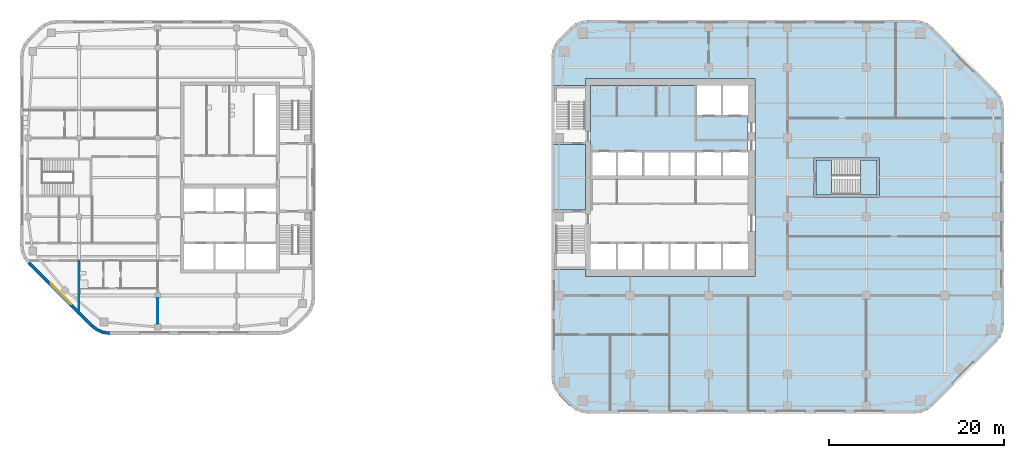
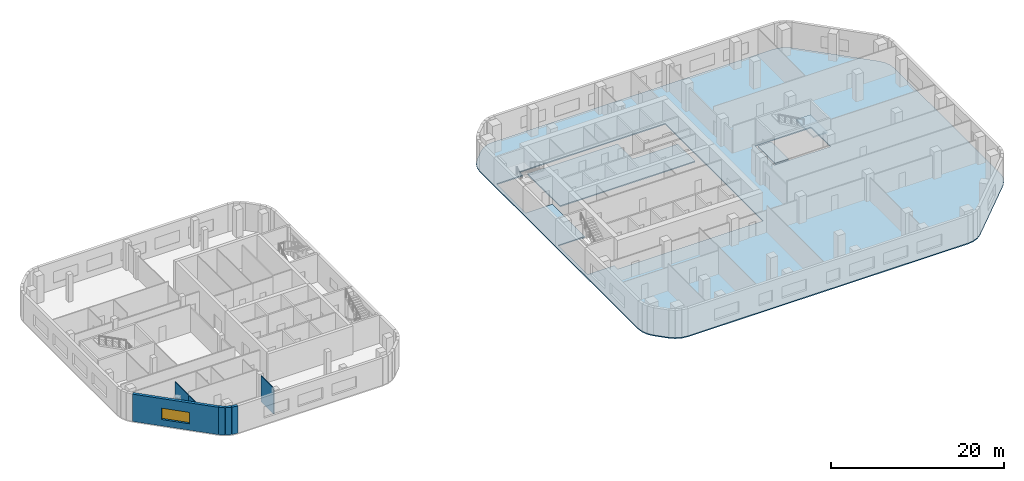
# One storey, part 4 of 14: 7 walls, 4 slabs, 1 window, 1 opening, 1 element without a shape of its own.
"""IFC4 building model written with IfcOpenShell, lengths in metres."""

from ifc_helpers import new_model, si_unit, direction, frame, frame_2d, origin, place, context, subcontext, project, spatial, polyline, rectangle, outline, extrude, material, layer, layer_set, type_object, element, fill, aggregate, save


model = new_model("IFC4")

# Units and contexts
model_context = context("Model", 3, precision=1e-05, world=origin(), true_north=direction((0.0, 1.0)))
body_context = subcontext(model_context, "Body", "Model", "MODEL_VIEW")
ifc_project = project(units=[si_unit("LENGTHUNIT", "METRE"), si_unit("AREAUNIT", "SQUARE_METRE"), si_unit("VOLUMEUNIT", "CUBIC_METRE"), si_unit("PLANEANGLEUNIT", "RADIAN"), si_unit("MASSUNIT", "GRAM", prefix="KILO")], contexts=[model_context])

# Site, building, storey
site_placement = place(None, origin())
site = spatial("IfcSite", under=ifc_project, at=site_placement, CompositionType="ELEMENT")
building_placement = place(site_placement, origin())
building = spatial("IfcBuilding", under=site, at=building_placement, Name="Cinnabar Reach Civic Tower", CompositionType="ELEMENT")
storey_placement = place(building_placement, frame((0.0, 0.0, 128.0)))
storey = spatial("IfcBuildingStorey", under=building, at=storey_placement, Name="L30", CompositionType="ELEMENT", Elevation=128.0)

# Slab
ifc_material_1 = material(Name="Concrete C40", Category="concrete")
ifc_layer_1 = layer(ifc_material_1, 0.15)
ifc_layer_set_1 = layer_set([ifc_layer_1], Name="Composite floor slab 150 REI 150")
slab_type_1 = type_object("IfcSlabType", Name="Composite floor slab 150 REI 150", PredefinedType="FLOOR", material=ifc_layer_set_1)
slab_1_placement = place(storey_placement, frame((0.0, 0.0, -0.15)))
element("IfcSlab", 1, at=slab_1_placement, inside=storey, type_object=slab_type_1, Name="Composite floor slab 150 T1 L30", PredefinedType="FLOOR", context=body_context, shape_type="SweptSolid", body=[
    extrude(outline(polyline([(0.8787, 6.6213), (0.4019, 7.2426), (0.1022, 7.9662), (0.0, 8.7426), (0.0, 45.2574), (0.1022, 46.0338), (0.4019, 46.7574), (0.8787, 47.3787), (2.1213, 48.6213), (2.7426, 49.0981), (3.4662, 49.3978), (4.2426, 49.5), (41.5074, 49.5), (42.2838, 49.3978), (43.0074, 49.0981), (43.6287, 48.6213), (50.8713, 41.3787), (51.3481, 40.7574), (51.6478, 40.0338), (51.75, 39.2574), (51.75, 14.7426), (51.6478, 13.9662), (51.3481, 13.2426), (50.8713, 12.6213), (43.6287, 5.3787), (43.0074, 4.9019), (42.2838, 4.6022), (41.5074, 4.5), (4.2426, 4.5), (3.4662, 4.6022), (2.7426, 4.9019), (2.1213, 5.3787), (0.8787, 6.6213)]), holes=[polyline([(0.36, 21.0), (3.9, 21.0), (3.9, 20.2), (23.3, 20.2), (23.3, 42.8), (3.9, 42.8), (3.9, 42.0), (0.36, 42.0), (0.36, 35.25), (3.9, 35.25), (3.9, 27.75), (0.36, 27.75), (0.36, 21.0)]), polyline([(30.0, 33.75), (30.0, 29.25), (37.5, 29.25), (37.5, 33.75), (30.0, 33.75)])]), origin(), (0.0, 0.0, 1.0), 0.15),
])

# Stair, slabs
ifc_material_2 = material(Name="Concrete C40/50", Category="concrete")
stair_type = type_object("IfcStairType", Name="T1 Exit stair, half-turn", PredefinedType="HALF_TURN_STAIR", material=ifc_material_2)
stair_placement = place(storey_placement, origin())
stair = element("IfcStair", 2, at=stair_placement, inside=storey, type_object=stair_type, Name="Stair T1-S3", PredefinedType="HALF_TURN_STAIR")
ifc_layer_2 = layer(ifc_material_2, 0.2)
ifc_layer_set_2 = layer_set([ifc_layer_2], Name="T1 Stair landing 200, Concrete C40/50")
slab_type_2 = type_object("IfcSlabType", Name="T1 Stair landing 200, Concrete C40/50", PredefinedType="LANDING", material=ifc_layer_set_2)
slab_2_placement = place(storey_placement, frame((0.0, 0.0, -0.2)))
slab_2 = element("IfcSlab", 3, at=slab_2_placement, type_object=slab_type_2, Name="T1-S3 landing 1", PredefinedType="LANDING", context=body_context, shape_type="SweptSolid", body=[
    extrude(outline(polyline([(30.25, 29.5), (32.05, 29.5), (32.05, 33.5), (30.25, 33.5), (30.25, 29.5)])), origin(), (0.0, 0.0, 1.0), 0.2),
])
slab_3_placement = place(storey_placement, frame((0.0, 0.0, 1.8)))
slab_3 = element("IfcSlab", 4, at=slab_3_placement, type_object=slab_type_2, Name="T1-S3 landing 2", PredefinedType="LANDING", context=body_context, shape_type="SweptSolid", body=[
    extrude(outline(polyline([(35.35, 29.5), (37.25, 29.5), (37.25, 33.5), (35.35, 33.5), (35.35, 29.5)])), origin(), (0.0, 0.0, 1.0), 0.2),
])
aggregate(stair, [slab_2, slab_3])

# Slab
ifc_layer_3 = layer(ifc_material_2, 0.15)
ifc_layer_set_3 = layer_set([ifc_layer_3], Name="T1 core floor slab 150")
slab_type_3 = type_object("IfcSlabType", Name="T1 core floor slab 150", PredefinedType="FLOOR", material=ifc_layer_set_3)
slab_4_placement = place(storey_placement, frame((0.0, 0.0, -0.15)))
element("IfcSlab", 5, at=slab_4_placement, inside=storey, type_object=slab_type_3, Name="Core floor slab L30", PredefinedType="FLOOR", context=body_context, shape_type="SweptSolid", body=[
    extrude(outline(polyline([(22.5, 34.5), (19.5, 34.5), (16.5, 34.5), (13.5, 34.5), (10.5, 34.5), (7.5, 34.5), (4.5, 34.5), (4.5, 42.0), (16.5, 42.0), (16.5, 38.5), (19.5, 38.5), (22.5, 38.5), (22.5, 34.5)])), origin(), (0.0, 0.0, 1.0), 0.15),
])

# Walls
ifc_material_3 = material(Name="Facing brick with insulated backing", Category="masonry")
ifc_layer_4 = layer(ifc_material_3, 0.36)
ifc_layer_set_4 = layer_set([ifc_layer_4], Name="Brick corner wall")
wall_type_1 = type_object("IfcWallType", Name="Brick corner wall", PredefinedType="STANDARD", material=ifc_layer_set_4)
wall_1_placement = place(storey_placement, frame((-52.4913, 14.5002, 0.0), z_axis=(0.0, 0.0, 1.0), x_axis=(0.793321924995, -0.608802368033, 0.0)))
element("IfcWall", 6, at=wall_1_placement, inside=storey, type_object=wall_type_1, Name="Brick corner wall", PredefinedType="STANDARD", context=body_context, shape_type="SweptSolid", body=[
    extrude(rectangle(XDim=0.7132, YDim=0.36, at=frame_2d((0.3566, 0.0))), origin(), (0.0, 0.0, 1.0), 3.85),
])
for number, where, z_axis, x_axis, name in (
    (7, (-51.9061, 14.0548, 0.0), (0.0, 0.0, 1.0), (0.923871547278, -0.382702709855, 0.0), "Brick corner wall"),
    (8, (-51.2256, 13.7761, 0.0), (0.0, 0.0, 1.0), (0.99144092581, -0.13055608231, 0.0), "Brick corner wall"),
):
    element("IfcWall", number, at=place(storey_placement, frame(where, z_axis=z_axis, x_axis=x_axis)), inside=storey, type_object=wall_type_1, Name=name, PredefinedType="STANDARD", context=body_context, shape_type="SweptSolid", body=[
        extrude(rectangle(XDim=0.7131, YDim=0.36, at=frame_2d((0.3565, 0.0))), origin(), (0.0, 0.0, 1.0), 3.85),
    ])

# Wall, opening, window
ifc_layer_5 = layer(ifc_material_3, 0.36)
ifc_layer_set_5 = layer_set([ifc_layer_5], Name="Brick pier and spandrel wall")
wall_type_2 = type_object("IfcWallType", Name="Brick pier and spandrel wall", PredefinedType="STANDARD", material=ifc_layer_set_5)
wall_2_placement = place(storey_placement, frame((-59.744, 21.7486, 0.0), z_axis=(0.0, 0.0, 1.0), x_axis=(0.707106781187, -0.707106781187, 0.0)))
wall_2 = element("IfcWall", 9, at=wall_2_placement, inside=storey, type_object=wall_type_2, Name="Brick facade wall", PredefinedType="STANDARD", context=body_context, shape_type="SweptSolid", body=[
    extrude(rectangle(XDim=10.2426, YDim=0.36, at=frame_2d((5.1213, 0.0))), origin(), (0.0, 0.0, 1.0), 3.85),
])
opening_placement = place(wall_2_placement, frame((3.4713, 0.0, 0.9)))
opening = element("IfcOpeningElement", 10, at=opening_placement, cuts=wall_2, Name="Opening W2778", PredefinedType="OPENING", context=body_context, shape_type="SweptSolid", body=[
    extrude(rectangle(XDim=3.3, YDim=1.6, at=frame_2d((1.65, 0.8))), frame((0.0, 0.19, 0.0), z_axis=(0.0, -1.0, 0.0), x_axis=(1.0, 0.0, 0.0)), (0.0, 0.0, 1.0), 0.38),
])
ifc_material_4 = material(Name="Clear double glazing in aluminium frame", Category="aluminium")
window_type = type_object("IfcWindowType", Name="Deep-set window A", PartitioningType="SINGLE_PANEL", PredefinedType="WINDOW", material=ifc_material_4)
window_placement = place(opening_placement, origin())
window = element("IfcWindow", 11, at=window_placement, inside=storey, type_object=window_type, Name="Window southwest face", OverallHeight=1.6, OverallWidth=3.3, PartitioningType="SINGLE_PANEL", PredefinedType="WINDOW", context=body_context, shape_type="SweptSolid", body=[
    extrude(rectangle(XDim=3.3, YDim=1.6, at=frame_2d((1.65, 0.8))), frame((0.0, 0.13, 0.0), z_axis=(0.0, -1.0, 0.0), x_axis=(1.0, 0.0, 0.0)), (0.0, 0.0, 1.0), 0.06),
])
fill(opening, window)

# Walls
ifc_material_5 = material(Name="Gypsum board on steel studs", Category="steel")
ifc_layer_6 = layer(ifc_material_5, 0.1)
ifc_layer_set_6 = layer_set([ifc_layer_6], Name="Partition wall 100 T2")
wall_type_3 = type_object("IfcWallType", Name="Partition wall 100 T2", PredefinedType="PARTITIONING", material=ifc_layer_set_6)
wall_3_placement = place(storey_placement, frame((-45.0, 14.75, 0.0), z_axis=(0.0, 0.0, 1.0), x_axis=(0.0, 1.0, 0.0)))
element("IfcWall", 12, at=wall_3_placement, inside=storey, type_object=wall_type_3, Name="Partition wall 16", PredefinedType="PARTITIONING", context=body_context, shape_type="SweptSolid", body=[
    extrude(rectangle(XDim=2.95, YDim=0.1, at=frame_2d((1.475, 0.0))), origin(), (0.0, 0.0, 1.0), 3.652),
])
wall_4_placement = place(storey_placement, frame((-54.0, 18.85, 0.0), z_axis=(0.0, 0.0, 1.0), x_axis=(0.0, 1.0, 0.0)))
element("IfcWall", 13, at=wall_4_placement, inside=storey, type_object=wall_type_3, Name="Partition wall 17", PredefinedType="PARTITIONING", context=body_context, shape_type="SweptSolid", body=[
    extrude(rectangle(XDim=3.075, YDim=0.1, at=frame_2d((1.5375, 0.0))), origin(), (0.0, 0.0, 1.0), 3.362),
])
wall_5_placement = place(storey_placement, frame((-54.0, 16.2591, 0.0), z_axis=(0.0, 0.0, 1.0), x_axis=(0.0, 1.0, 0.0)))
element("IfcWall", 14, at=wall_5_placement, inside=storey, type_object=wall_type_3, Name="Partition wall 18", PredefinedType="PARTITIONING", context=body_context, shape_type="SweptSolid", body=[
    extrude(rectangle(XDim=2.4909, YDim=0.1, at=frame_2d((1.2454, 0.0))), origin(), (0.0, 0.0, 1.0), 3.362),
])

save(model, "model.ifc")
